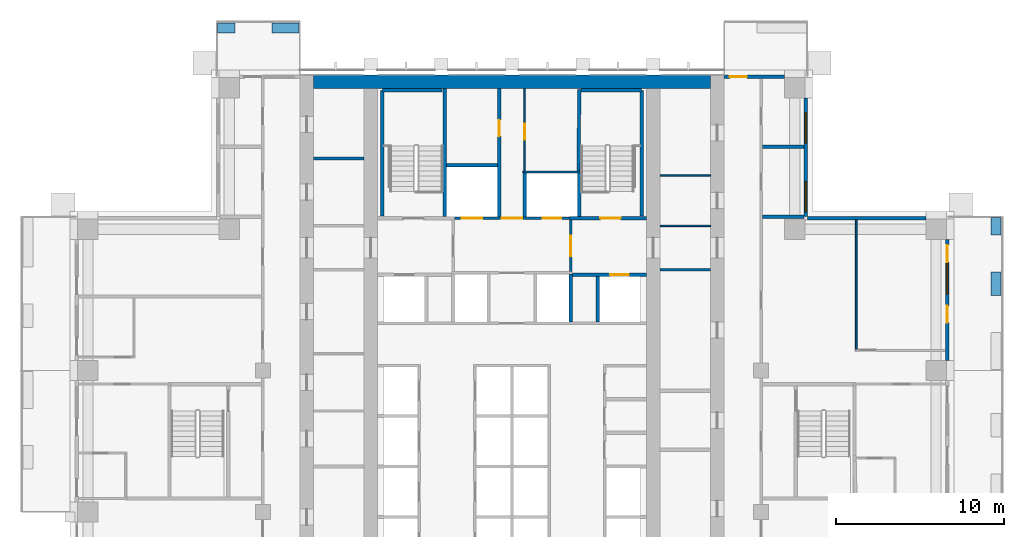
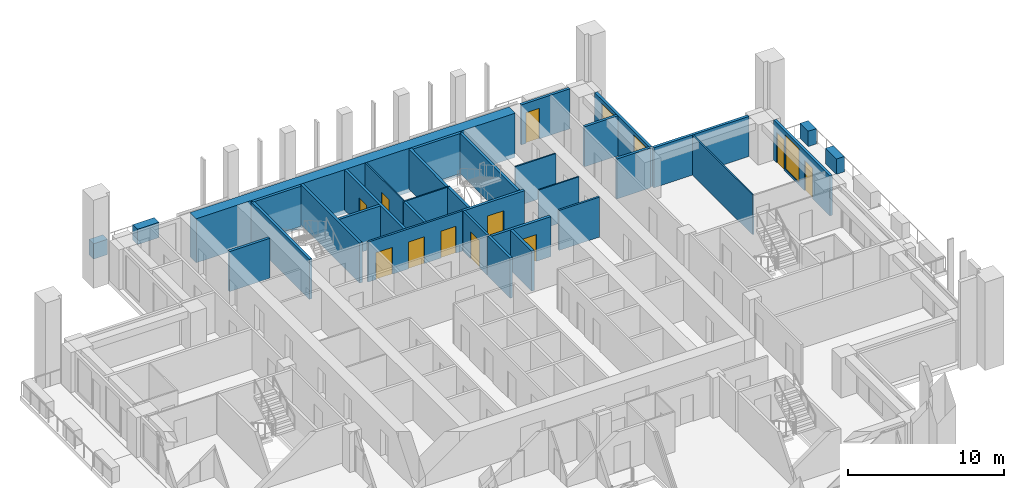
# One storey, part 11 of 17: 34 walls, 11 doors, 3 windows, 14 openings.
"""IFC4 building model written with IfcOpenShell, lengths in metres."""

from ifc_helpers import new_model, si_unit, direction, frame, frame_2d, origin, place, context, subcontext, project, spatial, rectangle, extrude, material, layer, layer_set, type_object, element, fill, save


model = new_model("IFC4")

# Units and contexts
model_context = context("Model", 3, precision=1e-05, world=origin(), true_north=direction((0.0, 1.0)))
body_context = subcontext(model_context, "Body", "Model", "MODEL_VIEW")
ifc_project = project(units=[si_unit("LENGTHUNIT", "METRE"), si_unit("AREAUNIT", "SQUARE_METRE"), si_unit("VOLUMEUNIT", "CUBIC_METRE"), si_unit("PLANEANGLEUNIT", "RADIAN"), si_unit("MASSUNIT", "GRAM", prefix="KILO")], contexts=[model_context])

# Site, building, storey
site_placement = place(None, origin())
site = spatial("IfcSite", under=ifc_project, at=site_placement, CompositionType="ELEMENT")
building_placement = place(site_placement, origin())
building = spatial("IfcBuilding", under=site, at=building_placement, Name="Vermilion Ogive Tower", CompositionType="ELEMENT")
storey_placement = place(building_placement, frame((0.0, 0.0, 97.64990234375)))
storey = spatial("IfcBuildingStorey", under=building, at=storey_placement, Name="L24", CompositionType="ELEMENT", Elevation=97.64990234375)

# Walls
ifc_material_1 = material(Name="Concrete B80", Category="concrete")
ifc_layer_1 = layer(ifc_material_1, 0.800048828125)
ifc_layer_set_1 = layer_set([ifc_layer_1], Name="Core wall 800 B80")
wall_type_1 = type_object("IfcWallType", Name="Core wall 800 B80", PredefinedType="SHEAR", material=ifc_layer_set_1)
wall_1_placement = place(storey_placement, frame((-11.800048828125, 21.35009765625, -0.31982421875), z_axis=(0.0, 0.0, 1.0), x_axis=(1.0, 0.0, 0.0)))
element("IfcWall", 1, at=wall_1_placement, inside=storey, type_object=wall_type_1, Name="L24-CORE-N", PredefinedType="SHEAR", context=body_context, shape_type="SweptSolid", body=[
    extrude(rectangle(XDim=23.60009765625, YDim=0.800048828125, at=frame_2d((11.800048828125, 0.0))), origin(), (0.0, 0.0, 1.0), 3.449951171875),
])
ifc_material_2 = material(Name="Gypsum board partition on steel studs", Category="steel")
ifc_layer_2 = layer(ifc_material_2, 0.10009765625)
ifc_layer_set_2 = layer_set([ifc_layer_2], Name="Partition 100 bath")
wall_type_2 = type_object("IfcWallType", Name="Partition 100 bath", PredefinedType="PARTITIONING", material=ifc_layer_set_2)
wall_2_placement = place(storey_placement, frame((0.64990234375, 16.0, 0.0), z_axis=(0.0, 0.0, 1.0), x_axis=(1.0, 0.0, 0.0)))
element("IfcWall", 2, at=wall_2_placement, inside=storey, type_object=wall_type_2, Name="L24-CK-W-W021", PredefinedType="PARTITIONING", context=body_context, shape_type="SweptSolid", body=[
    extrude(rectangle(XDim=3.4501953125, YDim=0.10009765625, at=frame_2d((1.72509765625, 0.0))), origin(), (0.0, 0.0, 1.0), 3.130126953125),
])

# Wall, opening, door
wall_3_placement = place(storey_placement, frame((0.75, 16.050048828125, 0.0), z_axis=(0.0, 0.0, 1.0), x_axis=(0.0, 1.0, 0.0)))
wall_3 = element("IfcWall", 3, at=wall_3_placement, inside=storey, type_object=wall_type_2, Name="L24-CK-W-W033", PredefinedType="PARTITIONING", context=body_context, shape_type="SweptSolid", body=[
    extrude(rectangle(XDim=4.89892578125, YDim=0.10009765625, at=frame_2d((2.449462890625, 0.0))), origin(), (0.0, 0.0, 1.0), 3.130126953125),
])
opening_1_placement = place(wall_3_placement, frame((1.875, 0.0, 0.0)))
opening_1 = element("IfcOpeningElement", 4, at=opening_1_placement, cuts=wall_3, Name="Opening DAA193", PredefinedType="OPENING", context=body_context, shape_type="SweptSolid", body=[
    extrude(rectangle(XDim=0.949951171875, YDim=2.10009765625, at=frame_2d((0.47509765625, 1.050048828125))), frame((0.0, 0.06005859375, 0.0), z_axis=(0.0, -1.0, 0.0), x_axis=(1.0, 0.0, 0.0)), (0.0, 0.0, 1.0), 0.1201171875),
])
ifc_material_3 = material(Name="Timber door leaf", Category="wood")
door_type_1 = type_object("IfcDoorType", Name="Service door 950 x 2100 FD60", OperationType="SINGLE_SWING_LEFT", PredefinedType="DOOR", material=ifc_material_3)
door_1_placement = place(opening_1_placement, origin())
door_1 = element("IfcDoor", 5, at=door_1_placement, inside=storey, type_object=door_type_1, Name="L24-CK-D-D022", OperationType="SINGLE_SWING_LEFT", OverallHeight=2.10009765625, OverallWidth=0.949951171875, PredefinedType="DOOR", context=body_context, shape_type="SweptSolid", body=[
    extrude(rectangle(XDim=0.949951171875, YDim=2.10009765625, at=frame_2d((0.47509765625, 1.050048828125))), frame((0.0, 0.02490234375, 0.0), z_axis=(0.0, -1.0, 0.0), x_axis=(1.0, 0.0, 0.0)), (0.0, 0.0, 1.0), 0.050048828125),
])
fill(opening_1, door_1)

# Walls
for number, where, z_axis, x_axis, name in (
    (6, (8.801025390625, 12.800048828125, 0.0), (0.0, 0.0, 1.0), (1.0, 0.0, 0.0), "L24-CKE-W-W004"),
    (7, (8.801025390625, 15.800048828125, 0.0), (0.0, 0.0, 1.0), (1.0, 0.0, 0.0), "L24-CKE-W-W005"),
):
    element("IfcWall", number, at=place(storey_placement, frame(where, z_axis=z_axis, x_axis=x_axis)), inside=storey, type_object=wall_type_2, Name=name, PredefinedType="PARTITIONING", context=body_context, shape_type="SweptSolid", body=[
        extrude(rectangle(XDim=2.998046875, YDim=0.10009765625, at=frame_2d((1.4990234375, 0.0))), origin(), (0.0, 0.0, 1.0), 3.130126953125),
    ])
ifc_material_4 = material(Name="Gypsum board partition on steel studs", Category="steel")
ifc_layer_3 = layer(ifc_material_4, 0.10009765625)
ifc_layer_set_3 = layer_set([ifc_layer_3], Name="Partition 100 inner")
wall_type_3 = type_object("IfcWallType", Name="Partition 100 inner", PredefinedType="PARTITIONING", material=ifc_layer_set_3)
wall_4_placement = place(storey_placement, frame((20.449951171875, 5.449951171875, 0.0), z_axis=(0.0, 0.0, 1.0), x_axis=(0.0, 1.0, 0.0)))
element("IfcWall", 8, at=wall_4_placement, inside=storey, type_object=wall_type_3, Name="L24-W-W050", PredefinedType="PARTITIONING", context=body_context, shape_type="SweptSolid", body=[
    extrude(rectangle(XDim=7.699951171875, YDim=0.10009765625, at=frame_2d((3.85009765625, 0.0))), origin(), (0.0, 0.0, 1.0), 3.130126953125),
])

# Wall, openings, doors
ifc_material_5 = material(Name="Gypsum board partition on steel studs", Category="steel")
ifc_layer_4 = layer(ifc_material_5, 0.14990234375)
ifc_layer_set_4 = layer_set([ifc_layer_4], Name="Partition 150 corridor")
wall_type_4 = type_object("IfcWallType", Name="Partition 150 corridor", PredefinedType="PARTITIONING", material=ifc_layer_set_4)
wall_5_placement = place(storey_placement, frame((-3.574951171875, 13.25, 0.0), z_axis=(0.0, 0.0, 1.0), x_axis=(1.0, 0.0, 0.0)))
wall_5 = element("IfcWall", 9, at=wall_5_placement, inside=storey, type_object=wall_type_4, Name="L24-CK-W-W019", PredefinedType="PARTITIONING", context=body_context, shape_type="SweptSolid", body=[
    extrude(rectangle(XDim=7.14990234375, YDim=0.14990234375, at=frame_2d((3.574951171875, 0.0))), origin(), (0.0, 0.0, 1.0), 3.130126953125),
])
opening_2_placement = place(wall_5_placement, frame((0.599853515625, 0.0, 0.0)))
opening_2 = element("IfcOpeningElement", 10, at=opening_2_placement, cuts=wall_5, Name="Opening DAA207", PredefinedType="OPENING", context=body_context, shape_type="SweptSolid", body=[
    extrude(rectangle(XDim=1.199951171875, YDim=2.10009765625, at=frame_2d((0.60009765625, 1.050048828125))), frame((0.0, 0.0849609375, 0.0), z_axis=(0.0, -1.0, 0.0), x_axis=(1.0, 0.0, 0.0)), (0.0, 0.0, 1.0), 0.169921875),
])
opening_3_placement = place(wall_5_placement, frame((5.39990234375, 0.0, 0.0)))
opening_3 = element("IfcOpeningElement", 11, at=opening_3_placement, cuts=wall_5, Name="Opening DAA198", PredefinedType="OPENING", context=body_context, shape_type="SweptSolid", body=[
    extrude(rectangle(XDim=1.10009765625, YDim=2.10009765625, at=frame_2d((0.550048828125, 1.050048828125))), frame((0.0, 0.0849609375, 0.0), z_axis=(0.0, -1.0, 0.0), x_axis=(1.0, 0.0, 0.0)), (0.0, 0.0, 1.0), 0.169921875),
])
opening_4_placement = place(wall_5_placement, frame((2.974853515625, 0.0, 0.0)))
opening_4 = element("IfcOpeningElement", 12, at=opening_4_placement, cuts=wall_5, Name="Opening DAA188", PredefinedType="OPENING", context=body_context, shape_type="SweptSolid", body=[
    extrude(rectangle(XDim=1.199951171875, YDim=2.10009765625, at=frame_2d((0.60009765625, 1.050048828125))), frame((0.0, 0.0849609375, 0.0), z_axis=(0.0, -1.0, 0.0), x_axis=(1.0, 0.0, 0.0)), (0.0, 0.0, 1.0), 0.169921875),
])
ifc_material_6 = material(Name="Stainless steel", Category="steel")
door_type_2 = type_object("IfcDoorType", Name="Lift landing door 1100 x 2100", OperationType="SLIDING_TO_LEFT", PredefinedType="DOOR", material=ifc_material_6)
door_2_placement = place(opening_3_placement, origin())
door_2 = element("IfcDoor", 13, at=door_2_placement, inside=storey, type_object=door_type_2, Name="L24-CK-D-D019", OperationType="SLIDING_TO_LEFT", OverallHeight=2.10009765625, OverallWidth=1.10009765625, PredefinedType="DOOR", context=body_context, shape_type="SweptSolid", body=[
    extrude(rectangle(XDim=1.10009765625, YDim=2.10009765625, at=frame_2d((0.550048828125, 1.050048828125))), frame((0.0, 0.02490234375, 0.0), z_axis=(0.0, -1.0, 0.0), x_axis=(1.0, 0.0, 0.0)), (0.0, 0.0, 1.0), 0.050048828125),
])
fill(opening_3, door_2)
ifc_material_7 = material(Name="Stainless steel", Category="steel")
door_type_3 = type_object("IfcDoorType", Name="Lift landing door 1200 x 2100", OperationType="SLIDING_TO_LEFT", PredefinedType="DOOR", material=ifc_material_7)
door_3_placement = place(opening_2_placement, origin())
door_3 = element("IfcDoor", 14, at=door_3_placement, inside=storey, type_object=door_type_3, Name="L24-CK-D-D018", OperationType="SLIDING_TO_RIGHT", OverallHeight=2.10009765625, OverallWidth=1.199951171875, PredefinedType="DOOR", context=body_context, shape_type="SweptSolid", body=[
    extrude(rectangle(XDim=1.199951171875, YDim=2.10009765625, at=frame_2d((0.60009765625, 1.050048828125))), frame((0.0, 0.02490234375, 0.0), z_axis=(0.0, -1.0, 0.0), x_axis=(1.0, 0.0, 0.0)), (0.0, 0.0, 1.0), 0.050048828125),
])
fill(opening_2, door_3)
ifc_material_8 = material(Name="Timber door leaf", Category="wood")
door_type_4 = type_object("IfcDoorType", Name="Service door 1200 x 2100 FD60", OperationType="SINGLE_SWING_LEFT", PredefinedType="DOOR", material=ifc_material_8)
door_4_placement = place(opening_4_placement, origin())
door_4 = element("IfcDoor", 15, at=door_4_placement, inside=storey, type_object=door_type_4, Name="L24-CK-D-D020", OperationType="SINGLE_SWING_RIGHT", OverallHeight=2.10009765625, OverallWidth=1.199951171875, PredefinedType="DOOR", context=body_context, shape_type="SweptSolid", body=[
    extrude(rectangle(XDim=1.199951171875, YDim=2.10009765625, at=frame_2d((0.60009765625, 1.050048828125))), frame((0.0, 0.02490234375, 0.0), z_axis=(0.0, -1.0, 0.0), x_axis=(1.0, 0.0, 0.0)), (0.0, 0.0, 1.0), 0.050048828125),
])
fill(opening_4, door_4)

# Wall, opening, door
wall_6_placement = place(storey_placement, frame((3.5, 10.074951171875, 0.0), z_axis=(0.0, 0.0, 1.0), x_axis=(0.0, 1.0, 0.0)))
wall_6 = element("IfcWall", 16, at=wall_6_placement, inside=storey, type_object=wall_type_4, Name="L24-CK-W-W037", PredefinedType="PARTITIONING", context=body_context, shape_type="SweptSolid", body=[
    extrude(rectangle(XDim=3.074951171875, YDim=0.14990234375, at=frame_2d((1.53759765625, 0.0))), origin(), (0.0, 0.0, 1.0), 3.130126953125),
])
opening_5_placement = place(wall_6_placement, frame((0.925048828125, 0.0, 0.0)))
opening_5 = element("IfcOpeningElement", 17, at=opening_5_placement, cuts=wall_6, Name="Opening DAA185", PredefinedType="OPENING", context=body_context, shape_type="SweptSolid", body=[
    extrude(rectangle(XDim=1.199951171875, YDim=2.10009765625, at=frame_2d((0.60009765625, 1.050048828125))), frame((0.0, 0.0849609375, 0.0), z_axis=(0.0, -1.0, 0.0), x_axis=(1.0, 0.0, 0.0)), (0.0, 0.0, 1.0), 0.169921875),
])
ifc_material_9 = material(Name="Timber door leaf", Category="wood")
door_type_5 = type_object("IfcDoorType", Name="Lobby door 1200 x 2100 FD60S", OperationType="SINGLE_SWING_LEFT", PredefinedType="DOOR", material=ifc_material_9)
door_5_placement = place(opening_5_placement, origin())
door_5 = element("IfcDoor", 18, at=door_5_placement, inside=storey, type_object=door_type_5, Name="L24-CK-D-D024", OperationType="SINGLE_SWING_LEFT", OverallHeight=2.10009765625, OverallWidth=1.199951171875, PredefinedType="DOOR", context=body_context, shape_type="SweptSolid", body=[
    extrude(rectangle(XDim=1.199951171875, YDim=2.10009765625, at=frame_2d((0.60009765625, 1.050048828125))), frame((0.0, 0.02490234375, 0.0), z_axis=(0.0, -1.0, 0.0), x_axis=(1.0, 0.0, 0.0)), (0.0, 0.0, 1.0), 0.050048828125),
])
fill(opening_5, door_5)

# Walls
wall_7_placement = place(storey_placement, frame((8.801025390625, 10.199951171875, 0.0), z_axis=(0.0, 0.0, 1.0), x_axis=(1.0, 0.0, 0.0)))
element("IfcWall", 19, at=wall_7_placement, inside=storey, type_object=wall_type_4, Name="L24-CKE-W-W003", PredefinedType="PARTITIONING", context=body_context, shape_type="SweptSolid", body=[
    extrude(rectangle(XDim=2.998046875, YDim=0.14990234375, at=frame_2d((1.4990234375, 0.0))), origin(), (0.0, 0.0, 1.0), 3.130126953125),
])
ifc_material_10 = material(Name="Gypsum board partition on steel studs", Category="steel")
ifc_layer_5 = layer(ifc_material_10, 0.199951171875)
ifc_layer_set_5 = layer_set([ifc_layer_5], Name="Partition 200 party")
wall_type_5 = type_object("IfcWallType", Name="Partition 200 party", PredefinedType="PARTITIONING", material=ifc_layer_set_5)
for number, where, z_axis, x_axis, name in (
    (20, (14.875, 13.35009765625, 0.0), (0.0, 0.0, 1.0), (1.0, 0.0, 0.0), "L24-W-W029"),
    (21, (14.875, 17.5, 0.0), (0.0, 0.0, 1.0), (1.0, 0.0, 0.0), "L24-W-W031"),
):
    element("IfcWall", number, at=place(storey_placement, frame(where, z_axis=z_axis, x_axis=x_axis)), inside=storey, type_object=wall_type_5, Name=name, PredefinedType="PARTITIONING", context=body_context, shape_type="SweptSolid", body=[
        extrude(rectangle(XDim=2.47509765625, YDim=0.199951171875, at=frame_2d((1.237548828125, 0.0))), origin(), (0.0, 0.0, 1.0), 3.130126953125),
    ])

# Wall, opening, door
wall_8_placement = place(storey_placement, frame((3.60009765625, 9.89990234375, 0.0), z_axis=(0.0, 0.0, 1.0), x_axis=(1.0, 0.0, 0.0)))
wall_8 = element("IfcWall", 22, at=wall_8_placement, inside=storey, type_object=wall_type_5, Name="L24-CK-W-W016", PredefinedType="PARTITIONING", context=body_context, shape_type="SweptSolid", body=[
    extrude(rectangle(XDim=4.39892578125, YDim=0.199951171875, at=frame_2d((2.199462890625, 0.0))), origin(), (0.0, 0.0, 1.0), 3.130126953125),
])
opening_6_placement = place(wall_8_placement, frame((2.25, 0.0, 0.0)))
opening_6 = element("IfcOpeningElement", 23, at=opening_6_placement, cuts=wall_8, Name="Opening DAA197", PredefinedType="OPENING", context=body_context, shape_type="SweptSolid", body=[
    extrude(rectangle(XDim=1.10009765625, YDim=2.10009765625, at=frame_2d((0.550048828125, 1.050048828125))), frame((0.0, 0.10986328125, 0.0), z_axis=(0.0, -1.0, 0.0), x_axis=(1.0, 0.0, 0.0)), (0.0, 0.0, 1.0), 0.219970703125),
])
door_6_placement = place(opening_6_placement, origin())
door_6 = element("IfcDoor", 24, at=door_6_placement, inside=storey, type_object=door_type_2, Name="L24-CK-D-D015", OperationType="SLIDING_TO_LEFT", OverallHeight=2.10009765625, OverallWidth=1.10009765625, PredefinedType="DOOR", context=body_context, shape_type="SweptSolid", body=[
    extrude(rectangle(XDim=1.10009765625, YDim=2.10009765625, at=frame_2d((0.550048828125, 1.050048828125))), frame((0.0, 0.02490234375, 0.0), z_axis=(0.0, -1.0, 0.0), x_axis=(1.0, 0.0, 0.0)), (0.0, 0.0, 1.0), 0.050048828125),
])
fill(opening_6, door_6)

# Wall
wall_9_placement = place(storey_placement, frame((-3.89990234375, 16.39990234375, 0.0), z_axis=(0.0, 0.0, 1.0), x_axis=(1.0, 0.0, 0.0)))
element("IfcWall", 25, at=wall_9_placement, inside=storey, type_object=wall_type_5, Name="L24-CK-W-W022", PredefinedType="PARTITIONING", context=body_context, shape_type="SweptSolid", body=[
    extrude(rectangle(XDim=3.0498046875, YDim=0.199951171875, at=frame_2d((1.52490234375, 0.0))), origin(), (0.0, 0.0, 1.0), 3.130126953125),
])

# Wall, opening, door
wall_10_placement = place(storey_placement, frame((-0.75, 13.324951171875, 0.0), z_axis=(0.0, 0.0, 1.0), x_axis=(0.0, 1.0, 0.0)))
wall_10 = element("IfcWall", 26, at=wall_10_placement, inside=storey, type_object=wall_type_5, Name="L24-CK-W-W030", PredefinedType="PARTITIONING", context=body_context, shape_type="SweptSolid", body=[
    extrude(rectangle(XDim=7.6240234375, YDim=0.199951171875, at=frame_2d((3.81201171875, 0.0))), origin(), (0.0, 0.0, 1.0), 3.130126953125),
])
opening_7_placement = place(wall_10_placement, frame((4.800048828125, 0.0, 0.0)))
opening_7 = element("IfcOpeningElement", 27, at=opening_7_placement, cuts=wall_10, Name="Opening DAA192", PredefinedType="OPENING", context=body_context, shape_type="SweptSolid", body=[
    extrude(rectangle(XDim=0.949951171875, YDim=2.10009765625, at=frame_2d((0.47509765625, 1.050048828125))), frame((0.0, 0.10986328125, 0.0), z_axis=(0.0, -1.0, 0.0), x_axis=(1.0, 0.0, 0.0)), (0.0, 0.0, 1.0), 0.219970703125),
])
door_7_placement = place(opening_7_placement, origin())
door_7 = element("IfcDoor", 28, at=door_7_placement, inside=storey, type_object=door_type_1, Name="L24-CK-D-D021", OperationType="SINGLE_SWING_RIGHT", OverallHeight=2.10009765625, OverallWidth=0.949951171875, PredefinedType="DOOR", context=body_context, shape_type="SweptSolid", body=[
    extrude(rectangle(XDim=0.949951171875, YDim=2.10009765625, at=frame_2d((0.47509765625, 1.050048828125))), frame((0.0, 0.02490234375, 0.0), z_axis=(0.0, -1.0, 0.0), x_axis=(1.0, 0.0, 0.0)), (0.0, 0.0, 1.0), 0.050048828125),
])
fill(opening_7, door_7)

# Walls
wall_11_placement = place(storey_placement, frame((0.75, 13.324951171875, 0.0), z_axis=(0.0, 0.0, 1.0), x_axis=(0.0, 1.0, 0.0)))
element("IfcWall", 29, at=wall_11_placement, inside=storey, type_object=wall_type_5, Name="L24-CK-W-W032", PredefinedType="PARTITIONING", context=body_context, shape_type="SweptSolid", body=[
    extrude(rectangle(XDim=2.625, YDim=0.199951171875, at=frame_2d((1.3125, 0.0))), origin(), (0.0, 0.0, 1.0), 3.130126953125),
])
wall_12_placement = place(storey_placement, frame((3.5, 7.074951171875, 0.0), z_axis=(0.0, 0.0, 1.0), x_axis=(0.0, 1.0, 0.0)))
element("IfcWall", 30, at=wall_12_placement, inside=storey, type_object=wall_type_5, Name="L24-CK-W-W036", PredefinedType="PARTITIONING", context=body_context, shape_type="SweptSolid", body=[
    extrude(rectangle(XDim=2.85009765625, YDim=0.199951171875, at=frame_2d((1.425048828125, 0.0))), origin(), (0.0, 0.0, 1.0), 3.130126953125),
])
wall_13_placement = place(storey_placement, frame((5.10009765625, 7.074951171875, 0.0), z_axis=(0.0, 0.0, 1.0), x_axis=(0.0, 1.0, 0.0)))
element("IfcWall", 31, at=wall_13_placement, inside=storey, type_object=wall_type_5, Name="L24-CK-W-W040", PredefinedType="PARTITIONING", context=body_context, shape_type="SweptSolid", body=[
    extrude(rectangle(XDim=2.72509765625, YDim=0.199951171875, at=frame_2d((1.362548828125, 0.0))), origin(), (0.0, 0.0, 1.0), 3.130126953125),
])
wall_14_placement = place(storey_placement, frame((-11.799072265625, 16.800048828125, 0.0), z_axis=(0.0, 0.0, 1.0), x_axis=(1.0, 0.0, 0.0)))
element("IfcWall", 32, at=wall_14_placement, inside=storey, type_object=wall_type_5, Name="L24-CKW-W-W006", PredefinedType="PARTITIONING", context=body_context, shape_type="SweptSolid", body=[
    extrude(rectangle(XDim=2.998046875, YDim=0.199951171875, at=frame_2d((1.4990234375, 0.0))), origin(), (0.0, 0.0, 1.0), 3.130126953125),
])

# Wall, opening, door
ifc_material_11 = material(Name="Concrete B60", Category="concrete")
ifc_layer_6 = layer(ifc_material_11, 0.199951171875)
ifc_layer_set_6 = layer_set([ifc_layer_6], Name="Stair shaft wall 200 Concrete B60")
wall_type_6 = type_object("IfcWallType", Name="Stair shaft wall 200 Concrete B60", PredefinedType="SOLIDWALL", material=ifc_layer_set_6)
wall_15_placement = place(storey_placement, frame((3.425048828125, 13.25, 0.0), z_axis=(0.0, 0.0, 1.0), x_axis=(1.0, 0.0, 0.0)))
wall_15 = element("IfcWall", 33, at=wall_15_placement, inside=storey, type_object=wall_type_6, Name="L24-CK-W-W020", PredefinedType="SOLIDWALL", context=body_context, shape_type="SweptSolid", body=[
    extrude(rectangle(XDim=4.573974609375, YDim=0.199951171875, at=frame_2d((2.287109375, 0.0))), origin(), (0.0, 0.0, 1.0), 3.130126953125),
])
opening_8_placement = place(wall_15_placement, frame((1.824951171875, 0.0, 0.0)))
opening_8 = element("IfcOpeningElement", 34, at=opening_8_placement, cuts=wall_15, Name="Opening DAA195", PredefinedType="OPENING", context=body_context, shape_type="SweptSolid", body=[
    extrude(rectangle(XDim=1.199951171875, YDim=2.10009765625, at=frame_2d((0.60009765625, 1.050048828125))), frame((0.0, 0.10986328125, 0.0), z_axis=(0.0, -1.0, 0.0), x_axis=(1.0, 0.0, 0.0)), (0.0, 0.0, 1.0), 0.219970703125),
])
ifc_material_12 = material(Name="Timber door leaf", Category="wood")
door_type_6 = type_object("IfcDoorType", Name="Stair door 1200 x 2100 FD60S", OperationType="SINGLE_SWING_LEFT", PredefinedType="DOOR", material=ifc_material_12)
door_8_placement = place(opening_8_placement, origin())
door_8 = element("IfcDoor", 35, at=door_8_placement, inside=storey, type_object=door_type_6, Name="L24-CK-D-D014", OperationType="SINGLE_SWING_RIGHT", OverallHeight=2.10009765625, OverallWidth=1.199951171875, PredefinedType="DOOR", context=body_context, shape_type="SweptSolid", body=[
    extrude(rectangle(XDim=1.199951171875, YDim=2.10009765625, at=frame_2d((0.60009765625, 1.050048828125))), frame((0.0, 0.02490234375, 0.0), z_axis=(0.0, -1.0, 0.0), x_axis=(1.0, 0.0, 0.0)), (0.0, 0.0, 1.0), 0.050048828125),
])
fill(opening_8, door_8)

# Walls
wall_16_placement = place(storey_placement, frame((-4.0, 13.35009765625, 0.0), z_axis=(0.0, 0.0, 1.0), x_axis=(0.0, 1.0, 0.0)))
element("IfcWall", 36, at=wall_16_placement, inside=storey, type_object=wall_type_6, Name="L24-CK-W-W025", PredefinedType="SOLIDWALL", context=body_context, shape_type="SweptSolid", body=[
    extrude(rectangle(XDim=7.598876953125, YDim=0.199951171875, at=frame_2d((3.79931640625, 0.0))), origin(), (0.0, 0.0, 1.0), 3.130126953125),
])
wall_17_placement = place(storey_placement, frame((4.0, 13.35009765625, 0.0), z_axis=(0.0, 0.0, 1.0), x_axis=(0.0, 1.0, 0.0)))
element("IfcWall", 37, at=wall_17_placement, inside=storey, type_object=wall_type_6, Name="L24-CK-W-W038", PredefinedType="SOLIDWALL", context=body_context, shape_type="SweptSolid", body=[
    extrude(rectangle(XDim=2.599853515625, YDim=0.199951171875, at=frame_2d((1.2998046875, 0.0))), origin(), (0.0, 0.0, 1.0), 3.130126953125),
])
wall_18_placement = place(storey_placement, frame((3.949951171875, 16.050048828125, 0.0), z_axis=(0.0, 0.0, 1.0), x_axis=(0.01032118628, 0.999946735138, 0.0)))
element("IfcWall", 38, at=wall_18_placement, inside=storey, type_object=wall_type_6, Name="L24-CK-W-W039", PredefinedType="SOLIDWALL", context=body_context, shape_type="SweptSolid", body=[
    extrude(rectangle(XDim=4.84912109375, YDim=0.199951171875, at=frame_2d((2.424560546875, 0.0))), origin(), (0.0, 0.0, 1.0), 3.130126953125),
])
wall_19_placement = place(storey_placement, frame((-7.699951171875, 13.39990234375, 0.0), z_axis=(0.0, 0.0, 1.0), x_axis=(0.0, 1.0, 0.0)))
element("IfcWall", 39, at=wall_19_placement, inside=storey, type_object=wall_type_6, Name="L24-SW-R023-W1", PredefinedType="SOLIDWALL", context=body_context, shape_type="SweptSolid", body=[
    extrude(rectangle(XDim=7.4501953125, YDim=0.199951171875, at=frame_2d((3.72509765625, 0.0))), origin(), (0.0, 0.0, 1.0), 3.130126953125),
])
wall_20_placement = place(storey_placement, frame((-7.699951171875, 20.85009765625, 0.0), z_axis=(0.0, 0.0, 1.0), x_axis=(1.0, 0.0, 0.0)))
element("IfcWall", 40, at=wall_20_placement, inside=storey, type_object=wall_type_6, Name="L24-SW-R023-N1", PredefinedType="SOLIDWALL", context=body_context, shape_type="SweptSolid", body=[
    extrude(rectangle(XDim=3.550048828125, YDim=0.199951171875, at=frame_2d((1.77490234375, 0.0))), origin(), (0.0, 0.0, 1.0), 3.130126953125),
])
wall_21_placement = place(storey_placement, frame((7.699951171875, 13.39990234375, 0.0), z_axis=(0.0, 0.0, 1.0), x_axis=(0.0, 1.0, 0.0)))
element("IfcWall", 41, at=wall_21_placement, inside=storey, type_object=wall_type_6, Name="L24-SW-R027-E1", PredefinedType="SOLIDWALL", context=body_context, shape_type="SweptSolid", body=[
    extrude(rectangle(XDim=7.4501953125, YDim=0.199951171875, at=frame_2d((3.72509765625, 0.0))), origin(), (0.0, 0.0, 1.0), 3.130126953125),
])
wall_22_placement = place(storey_placement, frame((4.10009765625, 20.85009765625, 0.0), z_axis=(0.0, 0.0, 1.0), x_axis=(1.0, 0.0, 0.0)))
element("IfcWall", 42, at=wall_22_placement, inside=storey, type_object=wall_type_6, Name="L24-SW-R027-N1", PredefinedType="SOLIDWALL", context=body_context, shape_type="SweptSolid", body=[
    extrude(rectangle(XDim=3.599853515625, YDim=0.199951171875, at=frame_2d((1.7998046875, 0.0))), origin(), (0.0, 0.0, 1.0), 3.130126953125),
])
ifc_material_13 = material(Name="Concrete B40", Category="concrete")
ifc_layer_7 = layer(ifc_material_13, 0.60009765625)
ifc_layer_set_7 = layer_set([ifc_layer_7], Name="Structural planter")
wall_type_7 = type_object("IfcWallType", Name="Structural planter", PredefinedType="USERDEFINED", material=ifc_layer_set_7)
wall_23_placement = place(storey_placement, frame((28.75, 8.64990234375, -0.039794921875), z_axis=(0.0, 0.0, 1.0), x_axis=(0.0, 1.0, 0.0)))
element("IfcWall", 43, at=wall_23_placement, inside=storey, type_object=wall_type_7, Name="Planter E03A2", ObjectType="PLANTER", PredefinedType="USERDEFINED", context=body_context, shape_type="SweptSolid", body=[
    extrude(rectangle(XDim=1.400146484375, YDim=0.60009765625, at=frame_2d((0.7001953125, 0.0))), origin(), (0.0, 0.0, 1.0), 1.199951171875),
])
wall_24_placement = place(storey_placement, frame((28.75, 12.25, -0.039794921875), z_axis=(0.0, 0.0, 1.0), x_axis=(0.0, 1.0, 0.0)))
element("IfcWall", 44, at=wall_24_placement, inside=storey, type_object=wall_type_7, Name="Planter E03A3", ObjectType="PLANTER", PredefinedType="USERDEFINED", context=body_context, shape_type="SweptSolid", body=[
    extrude(rectangle(XDim=1.0400390625, YDim=0.60009765625, at=frame_2d((0.52001953125, 0.0))), origin(), (0.0, 0.0, 1.0), 1.199951171875),
])
wall_25_placement = place(storey_placement, frame((-12.659912109375, 24.550048828125, -0.039794921875), z_axis=(0.0, 0.0, 1.0), x_axis=(-1.0, 0.0, 0.0)))
element("IfcWall", 45, at=wall_25_placement, inside=storey, type_object=wall_type_7, Name="Planter N201A1", ObjectType="PLANTER", PredefinedType="USERDEFINED", context=body_context, shape_type="SweptSolid", body=[
    extrude(rectangle(XDim=1.590087890625, YDim=0.60009765625, at=frame_2d((0.794921875, 0.0))), origin(), (0.0, 0.0, 1.0), 1.199951171875),
])
wall_26_placement = place(storey_placement, frame((-16.449951171875, 24.550048828125, -0.039794921875), z_axis=(0.0, 0.0, 1.0), x_axis=(-1.0, 0.0, 0.0)))
element("IfcWall", 46, at=wall_26_placement, inside=storey, type_object=wall_type_7, Name="Planter N201A2", ObjectType="PLANTER", PredefinedType="USERDEFINED", context=body_context, shape_type="SweptSolid", body=[
    extrude(rectangle(XDim=1.0400390625, YDim=0.60009765625, at=frame_2d((0.52001953125, 0.0))), origin(), (0.0, 0.0, 1.0), 1.199951171875),
])

# Wall, openings, doors, window
ifc_material_14 = material(Name="Aluminium window wall framing", Category="aluminium")
ifc_layer_8 = layer(ifc_material_14, 0.199951171875)
ifc_layer_set_8 = layer_set([ifc_layer_8], Name="Window wall")
wall_type_8 = type_object("IfcWallType", Name="Window wall", PredefinedType="STANDARD", material=ifc_layer_set_8)
wall_27_placement = place(storey_placement, frame((25.85009765625, 4.800048828125, 0.0), z_axis=(0.0, 0.0, 1.0), x_axis=(0.0, 1.0, 0.0)))
wall_27 = element("IfcWall", 47, at=wall_27_placement, inside=storey, type_object=wall_type_8, Name="Window wall E3", PredefinedType="STANDARD", context=body_context, shape_type="SweptSolid", body=[
    extrude(rectangle(XDim=7.199951171875, YDim=0.199951171875, at=frame_2d((3.60009765625, 0.0))), origin(), (0.0, 0.0, 1.0), 3.130126953125),
])
opening_9_placement = place(wall_27_placement, frame((2.25, 0.0, 0.0)))
opening_9 = element("IfcOpeningElement", 48, at=opening_9_placement, cuts=wall_27, Name="Opening D1-E01", PredefinedType="OPENING", context=body_context, shape_type="SweptSolid", body=[
    extrude(rectangle(XDim=1.0, YDim=2.39990234375, at=frame_2d((0.5, 1.199951171875))), frame((0.0, 0.10986328125, 0.0), z_axis=(0.0, -1.0, 0.0), x_axis=(1.0, 0.0, 0.0)), (0.0, 0.0, 1.0), 0.219970703125),
])
opening_10_placement = place(wall_27_placement, frame((3.949951171875, 0.0, 0.199951171875)))
opening_10 = element("IfcOpeningElement", 49, at=opening_10_placement, cuts=wall_27, Name="Opening W1-E02", PredefinedType="OPENING", context=body_context, shape_type="SweptSolid", body=[
    extrude(rectangle(XDim=1.800048828125, YDim=2.64990234375, at=frame_2d((0.89990234375, 1.324951171875))), frame((0.0, 0.10986328125, 0.0), z_axis=(0.0, -1.0, 0.0), x_axis=(1.0, 0.0, 0.0)), (0.0, 0.0, 1.0), 0.219970703125),
])
opening_11_placement = place(wall_27_placement, frame((5.85009765625, 0.0, 0.0)))
opening_11 = element("IfcOpeningElement", 50, at=opening_11_placement, cuts=wall_27, Name="Opening D1-E02", PredefinedType="OPENING", context=body_context, shape_type="SweptSolid", body=[
    extrude(rectangle(XDim=1.0, YDim=2.39990234375, at=frame_2d((0.5, 1.199951171875))), frame((0.0, 0.10986328125, 0.0), z_axis=(0.0, -1.0, 0.0), x_axis=(1.0, 0.0, 0.0)), (0.0, 0.0, 1.0), 0.219970703125),
])
ifc_material_15 = material(Name="Aluminium framed glazed door", Category="aluminium")
door_type_7 = type_object("IfcDoorType", Name="Balcony door D1", OperationType="SINGLE_SWING_LEFT", PredefinedType="DOOR", material=ifc_material_15)
door_9_placement = place(opening_9_placement, origin())
door_9 = element("IfcDoor", 51, at=door_9_placement, inside=storey, type_object=door_type_7, Name="Balcony door E01", OperationType="SINGLE_SWING_LEFT", OverallHeight=2.39990234375, OverallWidth=1.0, PredefinedType="DOOR", context=body_context, shape_type="SweptSolid", body=[
    extrude(rectangle(XDim=1.0, YDim=2.39990234375, at=frame_2d((0.5, 1.199951171875))), frame((0.0, 0.02490234375, 0.0), z_axis=(0.0, -1.0, 0.0), x_axis=(1.0, 0.0, 0.0)), (0.0, 0.0, 1.0), 0.050048828125),
])
fill(opening_9, door_9)
door_10_placement = place(opening_11_placement, origin())
door_10 = element("IfcDoor", 52, at=door_10_placement, inside=storey, type_object=door_type_7, Name="Balcony door E02", OperationType="SINGLE_SWING_LEFT", OverallHeight=2.39990234375, OverallWidth=1.0, PredefinedType="DOOR", context=body_context, shape_type="SweptSolid", body=[
    extrude(rectangle(XDim=1.0, YDim=2.39990234375, at=frame_2d((0.5, 1.199951171875))), frame((0.0, 0.02490234375, 0.0), z_axis=(0.0, -1.0, 0.0), x_axis=(1.0, 0.0, 0.0)), (0.0, 0.0, 1.0), 0.050048828125),
])
fill(opening_11, door_10)
ifc_material_16 = material(Name="Aluminium framed double glazing", Category="aluminium")
window_type = type_object("IfcWindowType", Name="Guest window W1", PartitioningType="SINGLE_PANEL", PredefinedType="WINDOW", material=ifc_material_16)
window_1_placement = place(opening_10_placement, origin())
window_1 = element("IfcWindow", 53, at=window_1_placement, inside=storey, type_object=window_type, Name="Window E02", OverallHeight=2.64990234375, OverallWidth=1.800048828125, PartitioningType="SINGLE_PANEL", PredefinedType="WINDOW", context=body_context, shape_type="SweptSolid", body=[
    extrude(rectangle(XDim=1.800048828125, YDim=2.64990234375, at=frame_2d((0.89990234375, 1.324951171875))), frame((0.0, 0.030029296875, 0.0), z_axis=(0.0, -1.0, 0.0), x_axis=(1.0, 0.0, 0.0)), (0.0, 0.0, 1.0), 0.06005859375),
])
fill(opening_10, window_1)

# Wall
wall_28_placement = place(storey_placement, frame((24.60009765625, 13.25, 0.0), z_axis=(0.0, 0.0, 1.0), x_axis=(-1.0, 0.0, 0.0)))
element("IfcWall", 54, at=wall_28_placement, inside=storey, type_object=wall_type_8, Name="Window wall X31", PredefinedType="STANDARD", context=body_context, shape_type="SweptSolid", body=[
    extrude(rectangle(XDim=7.050048828125, YDim=0.199951171875, at=frame_2d((3.52490234375, 0.0))), origin(), (0.0, 0.0, 1.0), 3.130126953125),
])

# Wall, openings, windows
wall_29_placement = place(storey_placement, frame((17.449951171875, 13.35009765625, 0.0), z_axis=(0.0, 0.0, 1.0), x_axis=(0.0, 1.0, 0.0)))
wall_29 = element("IfcWall", 55, at=wall_29_placement, inside=storey, type_object=wall_type_8, Name="Window wall X41", PredefinedType="STANDARD", context=body_context, shape_type="SweptSolid", body=[
    extrude(rectangle(XDim=7.0498046875, YDim=0.199951171875, at=frame_2d((3.52490234375, 0.0))), origin(), (0.0, 0.0, 1.0), 3.130126953125),
])
opening_12_placement = place(wall_29_placement, frame((0.27490234375, 0.0, 0.199951171875)))
opening_12 = element("IfcOpeningElement", 56, at=opening_12_placement, cuts=wall_29, Name="Opening W1-X403", PredefinedType="OPENING", context=body_context, shape_type="SweptSolid", body=[
    extrude(rectangle(XDim=1.800048828125, YDim=2.64990234375, at=frame_2d((0.89990234375, 1.324951171875))), frame((0.0, 0.10986328125, 0.0), z_axis=(0.0, -1.0, 0.0), x_axis=(1.0, 0.0, 0.0)), (0.0, 0.0, 1.0), 0.219970703125),
])
opening_13_placement = place(wall_29_placement, frame((4.3701171875, 0.0, 0.199951171875)))
opening_13 = element("IfcOpeningElement", 57, at=opening_13_placement, cuts=wall_29, Name="Opening W1-X404", PredefinedType="OPENING", context=body_context, shape_type="SweptSolid", body=[
    extrude(rectangle(XDim=1.800048828125, YDim=2.64990234375, at=frame_2d((0.89990234375, 1.324951171875))), frame((0.0, 0.10986328125, 0.0), z_axis=(0.0, -1.0, 0.0), x_axis=(1.0, 0.0, 0.0)), (0.0, 0.0, 1.0), 0.219970703125),
])
window_2_placement = place(opening_12_placement, origin())
window_2 = element("IfcWindow", 58, at=window_2_placement, inside=storey, type_object=window_type, Name="Window X403", OverallHeight=2.64990234375, OverallWidth=1.800048828125, PartitioningType="SINGLE_PANEL", PredefinedType="WINDOW", context=body_context, shape_type="SweptSolid", body=[
    extrude(rectangle(XDim=1.800048828125, YDim=2.64990234375, at=frame_2d((0.89990234375, 1.324951171875))), frame((0.0, 0.030029296875, 0.0), z_axis=(0.0, -1.0, 0.0), x_axis=(1.0, 0.0, 0.0)), (0.0, 0.0, 1.0), 0.06005859375),
])
fill(opening_12, window_2)
window_3_placement = place(opening_13_placement, origin())
window_3 = element("IfcWindow", 59, at=window_3_placement, inside=storey, type_object=window_type, Name="Window X404", OverallHeight=2.64990234375, OverallWidth=1.800048828125, PartitioningType="SINGLE_PANEL", PredefinedType="WINDOW", context=body_context, shape_type="SweptSolid", body=[
    extrude(rectangle(XDim=1.800048828125, YDim=2.64990234375, at=frame_2d((0.89990234375, 1.324951171875))), frame((0.0, 0.030029296875, 0.0), z_axis=(0.0, -1.0, 0.0), x_axis=(1.0, 0.0, 0.0)), (0.0, 0.0, 1.0), 0.06005859375),
])
fill(opening_13, window_3)

# Wall, opening, door
wall_30_placement = place(storey_placement, frame((16.199951171875, 21.64990234375, 0.0), z_axis=(0.0, 0.0, 1.0), x_axis=(-1.0, 0.0, 0.0)))
wall_30 = element("IfcWall", 60, at=wall_30_placement, inside=storey, type_object=wall_type_8, Name="Window wall N11", PredefinedType="STANDARD", context=body_context, shape_type="SweptSolid", body=[
    extrude(rectangle(XDim=3.599853515625, YDim=0.199951171875, at=frame_2d((1.7998046875, 0.0))), origin(), (0.0, 0.0, 1.0), 3.130126953125),
])
opening_14_placement = place(wall_30_placement, frame((2.25, 0.0, 0.0)))
opening_14 = element("IfcOpeningElement", 61, at=opening_14_placement, cuts=wall_30, Name="Opening D1-N103", PredefinedType="OPENING", context=body_context, shape_type="SweptSolid", body=[
    extrude(rectangle(XDim=1.0, YDim=2.39990234375, at=frame_2d((0.5, 1.199951171875))), frame((0.0, 0.10986328125, 0.0), z_axis=(0.0, -1.0, 0.0), x_axis=(1.0, 0.0, 0.0)), (0.0, 0.0, 1.0), 0.219970703125),
])
door_11_placement = place(opening_14_placement, origin())
door_11 = element("IfcDoor", 62, at=door_11_placement, inside=storey, type_object=door_type_7, Name="Balcony door N103", OperationType="SINGLE_SWING_LEFT", OverallHeight=2.39990234375, OverallWidth=1.0, PredefinedType="DOOR", context=body_context, shape_type="SweptSolid", body=[
    extrude(rectangle(XDim=1.0, YDim=2.39990234375, at=frame_2d((0.5, 1.199951171875))), frame((0.0, 0.02490234375, 0.0), z_axis=(0.0, -1.0, 0.0), x_axis=(1.0, 0.0, 0.0)), (0.0, 0.0, 1.0), 0.050048828125),
])
fill(opening_14, door_11)

save(model, "model.ifc")
